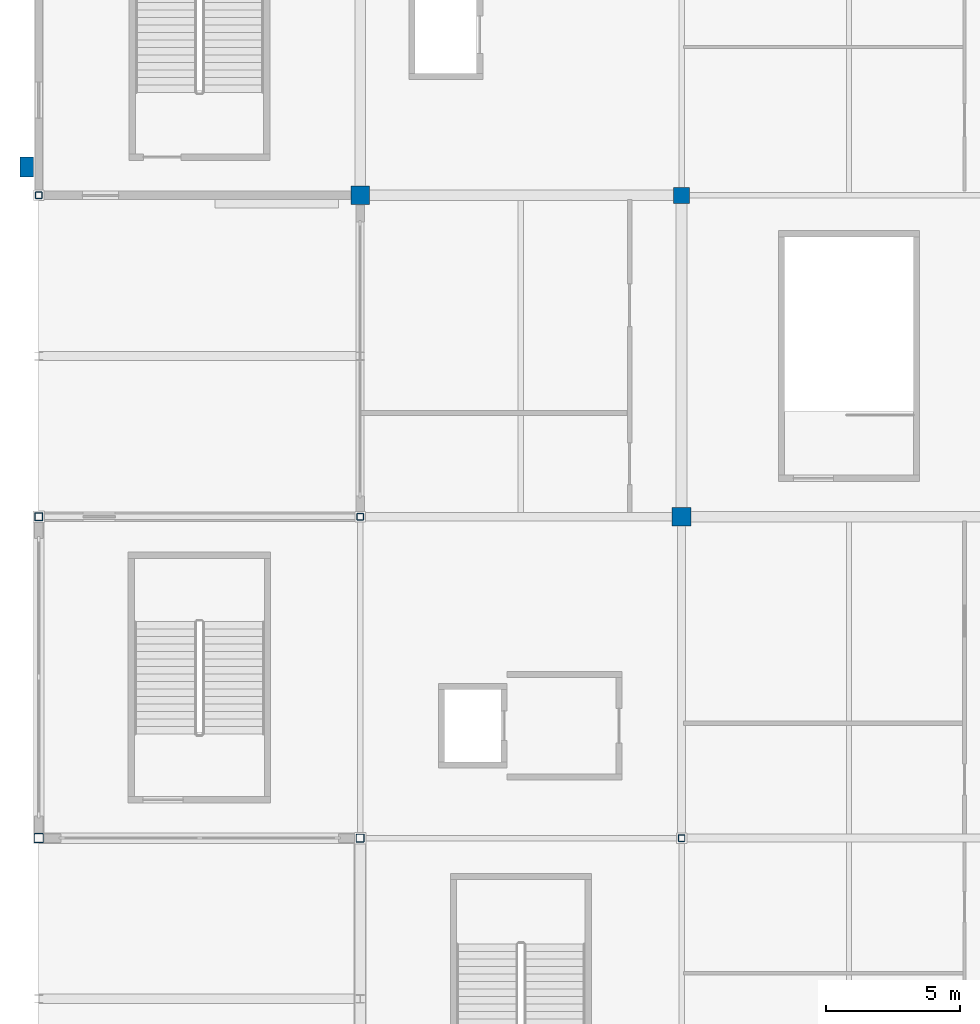
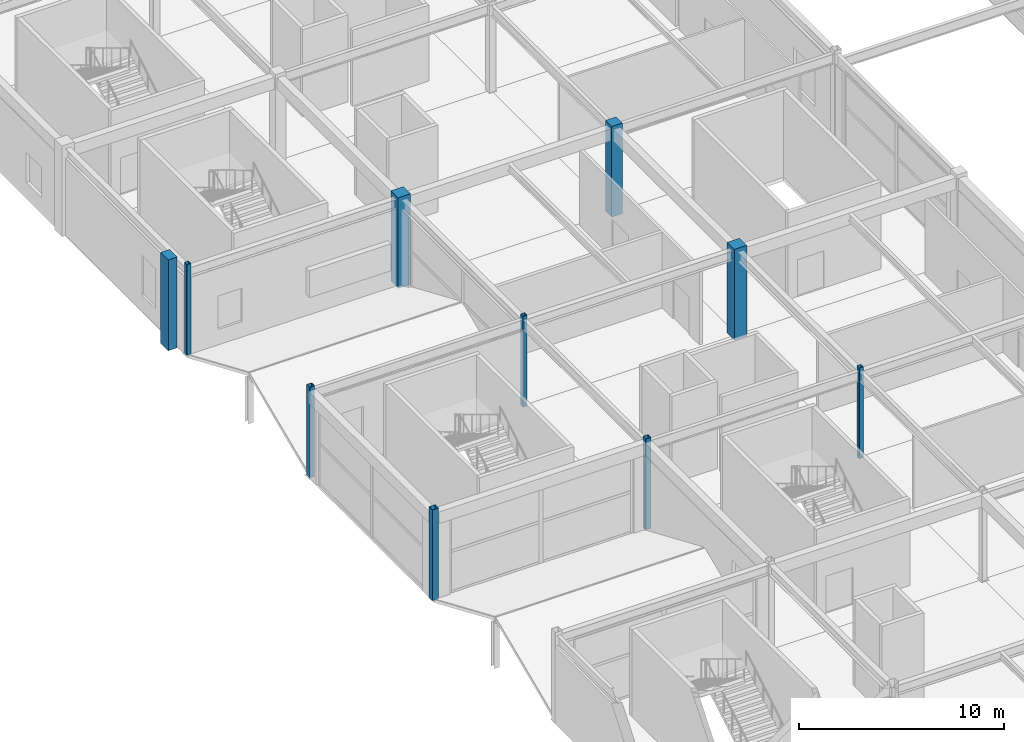
# One storey, part 9 of 105: 10 columns.
"""IFC4 building model written with IfcOpenShell, lengths in metres."""

from ifc_helpers import new_model, si_unit, direction, frame, origin, origin_2d, place, context, subcontext, project, spatial, rectangle, hollow_rectangle, extrude, material, material_profile, profile_set, type_object, element, save


model = new_model("IFC4")

# Units and contexts
model_context = context("Model", 3, precision=1e-05, world=origin(), true_north=direction((0.0, 1.0)))
body_context = subcontext(model_context, "Body", "Model", "MODEL_VIEW")
ifc_project = project(units=[si_unit("LENGTHUNIT", "METRE"), si_unit("AREAUNIT", "SQUARE_METRE"), si_unit("VOLUMEUNIT", "CUBIC_METRE"), si_unit("PLANEANGLEUNIT", "RADIAN"), si_unit("MASSUNIT", "GRAM", prefix="KILO")], contexts=[model_context])

# Site, building, storey
site_placement = place(None, origin())
site = spatial("IfcSite", under=ifc_project, at=site_placement, CompositionType="ELEMENT")
building_placement = place(site_placement, origin())
building = spatial("IfcBuilding", under=site, at=building_placement, Name="Kazenohara Klinker Stadium", CompositionType="ELEMENT")
storey_placement = place(building_placement, frame((0.0, 0.0, 20.39990234375)))
storey = spatial("IfcBuildingStorey", under=building, at=storey_placement, Name="L04", CompositionType="ELEMENT", Elevation=20.39990234375)

# Columns
ifc_material_1 = material(Name="Concrete C40/50", Category="concrete")
ifc_material_profile_1 = material_profile(ifc_material_1, rectangle(XDim=0.699951171875, YDim=0.699951171875, at=origin_2d()), Name="RC-COL-700x700")
ifc_profile_set_1 = profile_set([ifc_material_profile_1], Name="Concrete C40/50")
column_type_1 = type_object("IfcColumnType", Name="COL-RC06", PredefinedType="COLUMN", material=ifc_profile_set_1)
for number, where, z_axis, x_axis, name in (
    (1, (12.0, 132.0, 0.0), (0.0, 0.0, 1.0), (1.0, 0.0, 0.0), "Column C06 L04 2/M"),
    (2, (24.0, 120.0, 0.0), (0.0, 0.0, 1.0), (1.0, 0.0, 0.0), "Column C06 L04 3/L"),
):
    element("IfcColumn", number, at=place(storey_placement, frame(where, z_axis=z_axis, x_axis=x_axis)), inside=storey, type_object=column_type_1, Name=name, PredefinedType="COLUMN", context=body_context, shape_type="SweptSolid", body=[
        extrude(rectangle(XDim=0.699951171875, YDim=0.699951171875, at=origin_2d()), origin(), (0.0, 0.0, 1.0), 5.400146484375),
    ])
ifc_material_profile_2 = material_profile(ifc_material_1, rectangle(XDim=0.60009765625, YDim=0.60009765625, at=origin_2d()), Name="RC-COL-600x600")
ifc_profile_set_2 = profile_set([ifc_material_profile_2], Name="Concrete C40/50")
column_type_2 = type_object("IfcColumnType", Name="COL-RC07", PredefinedType="COLUMN", material=ifc_profile_set_2)
column_1_placement = place(storey_placement, frame((24.0, 132.0, 0.0), z_axis=(0.0, 0.0, 1.0), x_axis=(1.0, 0.0, 0.0)))
element("IfcColumn", 3, at=column_1_placement, inside=storey, type_object=column_type_2, Name="Column C07 L04 3/M", PredefinedType="COLUMN", context=body_context, shape_type="SweptSolid", body=[
    extrude(rectangle(XDim=0.60009765625, YDim=0.60009765625, at=origin_2d()), origin(), (0.0, 0.0, 1.0), 5.400146484375),
])
ifc_material_2 = material(Name="Steel S355", Category="steel")
ifc_material_profile_3 = material_profile(ifc_material_2, hollow_rectangle(XDim=0.35009765625, YDim=0.35009765625, WallThickness=0.01611328125, InnerFilletRadius=0.01611328125, OuterFilletRadius=0.031982421875, at=origin_2d()), Name="SHS-350x350x16")
ifc_profile_set_3 = profile_set([ifc_material_profile_3], Name="Steel S355")
column_type_3 = type_object("IfcColumnType", Name="COL-ST02", PredefinedType="COLUMN", material=ifc_profile_set_3)
column_2_placement = place(storey_placement, frame((0.0, 108.0, 0.0), z_axis=(0.0, 0.0, 1.0), x_axis=(1.0, 0.0, 0.0)))
element("IfcColumn", 4, at=column_2_placement, inside=storey, type_object=column_type_3, Name="Column SC02 L04 1/K", PredefinedType="COLUMN", context=body_context, shape_type="SweptSolid", body=[
    extrude(hollow_rectangle(XDim=0.35009765625, YDim=0.35009765625, WallThickness=0.01611328125, InnerFilletRadius=0.01611328125, OuterFilletRadius=0.031982421875, at=origin_2d()), origin(), (0.0, 0.0, 1.0), 5.400146484375),
])
ifc_material_profile_4 = material_profile(ifc_material_2, hollow_rectangle(XDim=0.300048828125, YDim=0.300048828125, WallThickness=0.011962890625, InnerFilletRadius=0.011962890625, OuterFilletRadius=0.02392578125, at=origin_2d()), Name="SHS-300x300x12")
ifc_profile_set_4 = profile_set([ifc_material_profile_4], Name="Steel S355")
column_type_4 = type_object("IfcColumnType", Name="COL-ST03", PredefinedType="COLUMN", material=ifc_profile_set_4)
for number, where, z_axis, x_axis, name in (
    (5, (0.0, 120.0, 0.0), (0.0, 0.0, 1.0), (1.0, 0.0, 0.0), "Column SC03 L04 1/L"),
    (6, (12.0, 108.0, 0.0), (0.0, 0.0, 1.0), (1.0, 0.0, 0.0), "Column SC03 L04 2/K"),
):
    element("IfcColumn", number, at=place(storey_placement, frame(where, z_axis=z_axis, x_axis=x_axis)), inside=storey, type_object=column_type_4, Name=name, PredefinedType="COLUMN", context=body_context, shape_type="SweptSolid", body=[
        extrude(hollow_rectangle(XDim=0.300048828125, YDim=0.300048828125, WallThickness=0.011962890625, InnerFilletRadius=0.011962890625, OuterFilletRadius=0.02392578125, at=origin_2d()), origin(), (0.0, 0.0, 1.0), 5.400146484375),
    ])
ifc_material_profile_5 = material_profile(ifc_material_2, hollow_rectangle(XDim=0.25, YDim=0.25, WallThickness=0.011962890625, InnerFilletRadius=0.011962890625, OuterFilletRadius=0.02392578125, at=origin_2d()), Name="SHS-250x250x12")
ifc_profile_set_5 = profile_set([ifc_material_profile_5], Name="Steel S355")
column_type_5 = type_object("IfcColumnType", Name="COL-ST04", PredefinedType="COLUMN", material=ifc_profile_set_5)
for number, where, z_axis, x_axis, name in (
    (7, (0.0, 132.0, 0.0), (0.0, 0.0, 1.0), (1.0, 0.0, 0.0), "Column SC04 L04 1/M"),
    (8, (12.0, 120.0, 0.0), (0.0, 0.0, 1.0), (1.0, 0.0, 0.0), "Column SC04 L04 2/L"),
    (9, (24.0, 108.0, 0.0), (0.0, 0.0, 1.0), (1.0, 0.0, 0.0), "Column SC04 L04 3/K"),
):
    element("IfcColumn", number, at=place(storey_placement, frame(where, z_axis=z_axis, x_axis=x_axis)), inside=storey, type_object=column_type_5, Name=name, PredefinedType="COLUMN", context=body_context, shape_type="SweptSolid", body=[
        extrude(hollow_rectangle(XDim=0.25, YDim=0.25, WallThickness=0.011962890625, InnerFilletRadius=0.011962890625, OuterFilletRadius=0.02392578125, at=origin_2d()), origin(), (0.0, 0.0, 1.0), 5.400146484375),
    ])
ifc_material_profile_6 = material_profile(ifc_material_1, rectangle(XDim=0.5, YDim=0.75, at=origin_2d()), Name="RC-PILASTER-500x750")
ifc_profile_set_6 = profile_set([ifc_material_profile_6], Name="Concrete C40/50")
column_type_6 = type_object("IfcColumnType", Name="PIL-RC02", PredefinedType="PILASTER", material=ifc_profile_set_6)
column_3_placement = place(storey_placement, frame((-0.449951171875, 133.050048828125, 0.0), z_axis=(0.0, 0.0, 1.0), x_axis=(1.0, 0.0, 0.0)))
element("IfcColumn", 10, at=column_3_placement, inside=storey, type_object=column_type_6, Name="Pleated facade pilaster PL02 L04 West-11", PredefinedType="PILASTER", context=body_context, shape_type="SweptSolid", body=[
    extrude(rectangle(XDim=0.5, YDim=0.75, at=origin_2d()), origin(), (0.0, 0.0, 1.0), 5.400146484375),
])

save(model, "model.ifc")
